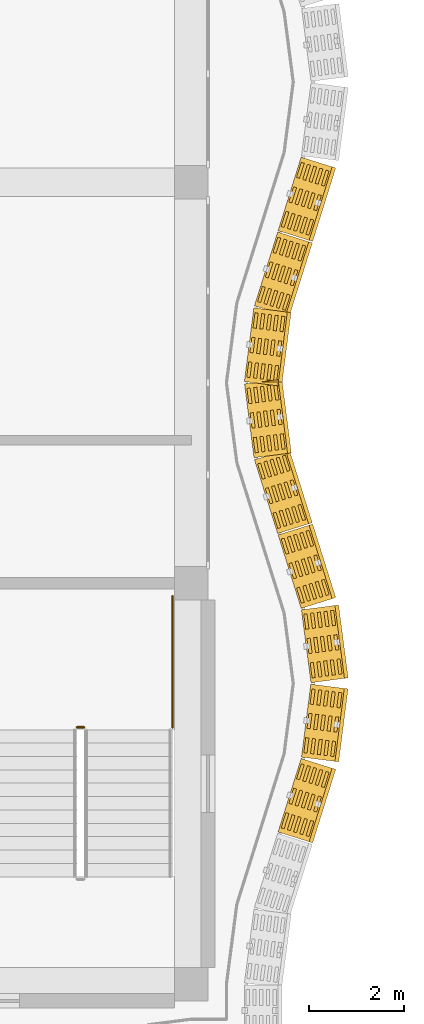
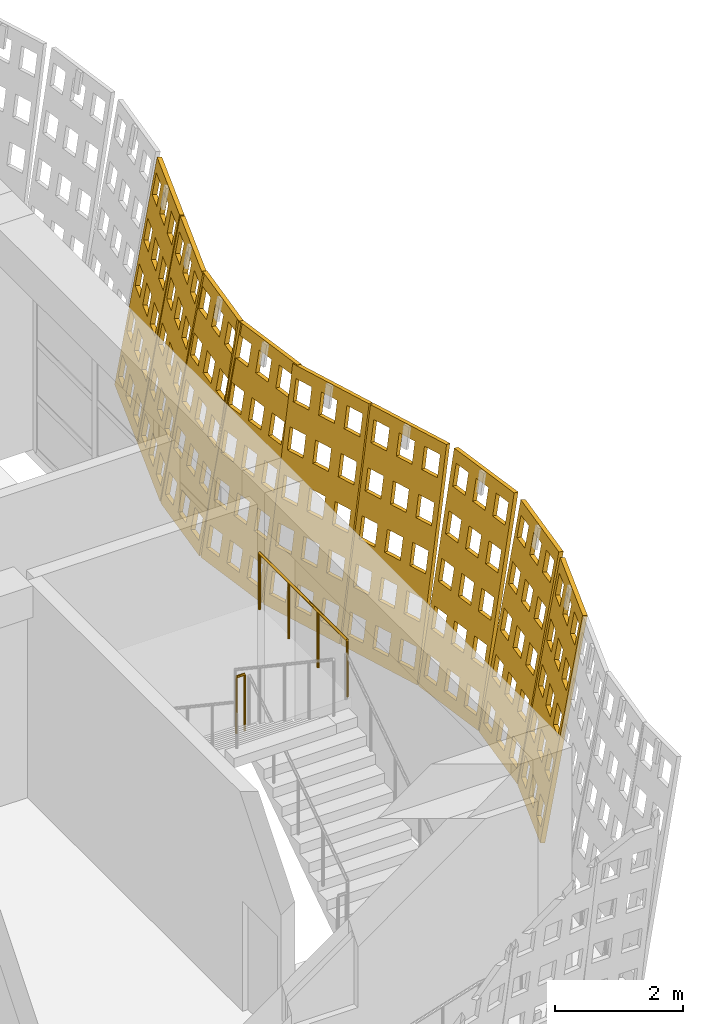
# One storey, part 155 of 163: 9 coverings, 2 railings.
"""IFC4 building model written with IfcOpenShell, lengths in metres."""

from ifc_helpers import new_model, si_unit, direction, frame, origin, origin_2d, place, context, subcontext, project, spatial, polyline, circle, outline, extrude, material, layer, layer_set, type_object, element, save


model = new_model("IFC4")

# Units and contexts
model_context = context("Model", 3, precision=1e-05, world=origin(), true_north=direction((0.0, 1.0)))
body_context = subcontext(model_context, "Body", "Model", "MODEL_VIEW")
ifc_project = project(units=[si_unit("LENGTHUNIT", "METRE"), si_unit("AREAUNIT", "SQUARE_METRE"), si_unit("VOLUMEUNIT", "CUBIC_METRE"), si_unit("PLANEANGLEUNIT", "RADIAN"), si_unit("MASSUNIT", "GRAM", prefix="KILO")], contexts=[model_context])

# Site, building, storey
site_placement = place(None, origin())
site = spatial("IfcSite", under=ifc_project, at=site_placement, CompositionType="ELEMENT")
building_placement = place(site_placement, origin())
building = spatial("IfcBuilding", under=site, at=building_placement, Name="Rain Tree Exposition and Congress Centre", CompositionType="ELEMENT")
storey_placement = place(building_placement, frame((0.0, 0.0, 10.5)))
storey = spatial("IfcBuildingStorey", under=building, at=storey_placement, Name="L02", CompositionType="ELEMENT", Elevation=10.5)

# Coverings
ifc_material_1 = material(Name="Perforated terracotta", Category="masonry")
ifc_layer = layer(ifc_material_1, 0.080078125)
ifc_layer_set = layer_set([ifc_layer], Name="Perforated terracotta")
covering_type = type_object("IfcCoveringType", Name="Terracotta screen 80", PredefinedType="CLADDING", material=ifc_layer_set)
covering_1_placement = place(storey_placement, frame((52.28759765625, 3.14990234375, 0.0), z_axis=(-0.942029390639, 0.295717964052, 0.158529217842), x_axis=(-0.29950542383, -0.954094597562, 0.0)))
element("IfcCovering", 1, at=covering_1_placement, inside=storey, type_object=covering_type, Name="wing/screen/L02/037", PredefinedType="CLADDING", context=body_context, shape_type="SweptSolid", body=[
    extrude(outline(polyline([(-1.62890625, 0.0), (-1.62890625, 4.291259765625), (-0.014892578125, 4.291259765625), (-0.014892578125, 0.0), (-1.62890625, 0.0)]), holes=[polyline([(-0.1171875, 0.221435546875), (-0.1171875, 0.63671875), (-0.45068359375, 0.63671875), (-0.45068359375, 0.221435546875), (-0.1171875, 0.221435546875)]), polyline([(-0.1171875, 1.07958984375), (-0.1171875, 1.4951171875), (-0.45068359375, 1.4951171875), (-0.45068359375, 1.07958984375), (-0.1171875, 1.07958984375)]), polyline([(-0.1171875, 1.93798828125), (-0.1171875, 2.353271484375), (-0.45068359375, 2.353271484375), (-0.45068359375, 1.93798828125), (-0.1171875, 1.93798828125)]), polyline([(-0.1171875, 2.796142578125), (-0.1171875, 3.21142578125), (-0.45068359375, 3.21142578125), (-0.45068359375, 2.796142578125), (-0.1171875, 2.796142578125)]), polyline([(-0.1171875, 3.654541015625), (-0.1171875, 4.06982421875), (-0.45068359375, 4.06982421875), (-0.45068359375, 3.654541015625), (-0.1171875, 3.654541015625)]), polyline([(-0.6552734375, 0.221435546875), (-0.6552734375, 0.63671875), (-0.98876953125, 0.63671875), (-0.98876953125, 0.221435546875), (-0.6552734375, 0.221435546875)]), polyline([(-0.6552734375, 1.07958984375), (-0.6552734375, 1.4951171875), (-0.98876953125, 1.4951171875), (-0.98876953125, 1.07958984375), (-0.6552734375, 1.07958984375)]), polyline([(-0.6552734375, 1.93798828125), (-0.6552734375, 2.353271484375), (-0.98876953125, 2.353271484375), (-0.98876953125, 1.93798828125), (-0.6552734375, 1.93798828125)]), polyline([(-0.6552734375, 2.796142578125), (-0.6552734375, 3.21142578125), (-0.98876953125, 3.21142578125), (-0.98876953125, 2.796142578125), (-0.6552734375, 2.796142578125)]), polyline([(-0.6552734375, 3.654541015625), (-0.6552734375, 4.06982421875), (-0.98876953125, 4.06982421875), (-0.98876953125, 3.654541015625), (-0.6552734375, 3.654541015625)]), polyline([(-1.193115234375, 0.221435546875), (-1.193115234375, 0.63671875), (-1.526611328125, 0.63671875), (-1.526611328125, 0.221435546875), (-1.193115234375, 0.221435546875)]), polyline([(-1.193115234375, 1.07958984375), (-1.193115234375, 1.4951171875), (-1.526611328125, 1.4951171875), (-1.526611328125, 1.07958984375), (-1.193115234375, 1.07958984375)]), polyline([(-1.193115234375, 1.93798828125), (-1.193115234375, 2.353271484375), (-1.526611328125, 2.353271484375), (-1.526611328125, 1.93798828125), (-1.193115234375, 1.93798828125)]), polyline([(-1.193115234375, 2.796142578125), (-1.193115234375, 3.21142578125), (-1.526611328125, 3.21142578125), (-1.526611328125, 2.796142578125), (-1.193115234375, 2.796142578125)]), polyline([(-1.193115234375, 3.654541015625), (-1.193115234375, 4.06982421875), (-1.526611328125, 4.06982421875), (-1.526611328125, 3.654541015625), (-1.193115234375, 3.654541015625)])]), origin(), (0.0, 0.0, 1.0), 0.080078125),
])
covering_2_placement = place(storey_placement, frame((52.78271484375, 4.72509765625, 0.0), z_axis=(-0.978413018317, 0.124968640969, 0.164592844203), x_axis=(-0.126696580272, -0.991941518713, 0.0)))
element("IfcCovering", 2, at=covering_2_placement, inside=storey, type_object=covering_type, Name="wing/screen/L02/038", PredefinedType="CLADDING", context=body_context, shape_type="SweptSolid", body=[
    extrude(outline(polyline([(-1.56298828125, 0.0), (-1.56298828125, 4.295166015625), (-0.02197265625, 4.295166015625), (-0.02197265625, 0.0), (-1.56298828125, 0.0)]), holes=[polyline([(-0.11962890625, 0.2216796875), (-0.11962890625, 0.63720703125), (-0.43798828125, 0.63720703125), (-0.43798828125, 0.2216796875), (-0.11962890625, 0.2216796875)]), polyline([(-0.11962890625, 1.080810546875), (-0.11962890625, 1.496337890625), (-0.43798828125, 1.496337890625), (-0.43798828125, 1.080810546875), (-0.11962890625, 1.080810546875)]), polyline([(-0.11962890625, 1.939697265625), (-0.11962890625, 2.35546875), (-0.43798828125, 2.35546875), (-0.43798828125, 1.939697265625), (-0.11962890625, 1.939697265625)]), polyline([(-0.11962890625, 2.798583984375), (-0.11962890625, 3.21435546875), (-0.43798828125, 3.21435546875), (-0.43798828125, 2.798583984375), (-0.11962890625, 2.798583984375)]), polyline([(-0.11962890625, 3.65771484375), (-0.11962890625, 4.073486328125), (-0.43798828125, 4.073486328125), (-0.43798828125, 3.65771484375), (-0.11962890625, 3.65771484375)]), polyline([(-0.63330078125, 0.2216796875), (-0.63330078125, 0.63720703125), (-0.95166015625, 0.63720703125), (-0.95166015625, 0.2216796875), (-0.63330078125, 0.2216796875)]), polyline([(-0.63330078125, 1.080810546875), (-0.63330078125, 1.496337890625), (-0.95166015625, 1.496337890625), (-0.95166015625, 1.080810546875), (-0.63330078125, 1.080810546875)]), polyline([(-0.63330078125, 1.939697265625), (-0.63330078125, 2.35546875), (-0.95166015625, 2.35546875), (-0.95166015625, 1.939697265625), (-0.63330078125, 1.939697265625)]), polyline([(-0.63330078125, 2.798583984375), (-0.63330078125, 3.21435546875), (-0.95166015625, 3.21435546875), (-0.95166015625, 2.798583984375), (-0.63330078125, 2.798583984375)]), polyline([(-0.63330078125, 3.65771484375), (-0.63330078125, 4.073486328125), (-0.95166015625, 4.073486328125), (-0.95166015625, 3.65771484375), (-0.63330078125, 3.65771484375)]), polyline([(-1.146728515625, 0.2216796875), (-1.146728515625, 0.63720703125), (-1.46533203125, 0.63720703125), (-1.46533203125, 0.2216796875), (-1.146728515625, 0.2216796875)]), polyline([(-1.146728515625, 1.080810546875), (-1.146728515625, 1.496337890625), (-1.46533203125, 1.496337890625), (-1.46533203125, 1.080810546875), (-1.146728515625, 1.080810546875)]), polyline([(-1.146728515625, 1.939697265625), (-1.146728515625, 2.35546875), (-1.46533203125, 2.35546875), (-1.46533203125, 1.939697265625), (-1.146728515625, 1.939697265625)]), polyline([(-1.146728515625, 2.798583984375), (-1.146728515625, 3.21435546875), (-1.46533203125, 3.21435546875), (-1.46533203125, 2.798583984375), (-1.146728515625, 2.798583984375)]), polyline([(-1.146728515625, 3.65771484375), (-1.146728515625, 4.073486328125), (-1.46533203125, 4.073486328125), (-1.46533203125, 3.65771484375), (-1.146728515625, 3.65771484375)])]), origin(), (0.0, 0.0, 1.0), 0.080078125),
])
covering_3_placement = place(storey_placement, frame((52.987548828125, 6.300048828125, 0.0), z_axis=(-0.978036007662, -0.127967328105, 0.16452942185), x_axis=(0.129735338481, -0.991548658387, 0.0)))
element("IfcCovering", 3, at=covering_3_placement, inside=storey, type_object=covering_type, Name="wing/screen/L02/039", PredefinedType="CLADDING", context=body_context, shape_type="SweptSolid", body=[
    extrude(outline(polyline([(-1.56640625, 0.0), (-1.56640625, 4.295166015625), (-0.025390625, 4.295166015625), (-0.025390625, 0.0), (-1.56640625, 0.0)]), holes=[polyline([(-0.123046875, 0.2216796875), (-0.123046875, 0.63720703125), (-0.44140625, 0.63720703125), (-0.44140625, 0.2216796875), (-0.123046875, 0.2216796875)]), polyline([(-0.123046875, 1.080810546875), (-0.123046875, 1.496337890625), (-0.44140625, 1.496337890625), (-0.44140625, 1.080810546875), (-0.123046875, 1.080810546875)]), polyline([(-0.123046875, 1.939697265625), (-0.123046875, 2.35546875), (-0.44140625, 2.35546875), (-0.44140625, 1.939697265625), (-0.123046875, 1.939697265625)]), polyline([(-0.123046875, 2.798583984375), (-0.123046875, 3.21435546875), (-0.44140625, 3.21435546875), (-0.44140625, 2.798583984375), (-0.123046875, 2.798583984375)]), polyline([(-0.123046875, 3.65771484375), (-0.123046875, 4.073486328125), (-0.44140625, 4.073486328125), (-0.44140625, 3.65771484375), (-0.123046875, 3.65771484375)]), polyline([(-0.63671875, 0.2216796875), (-0.63671875, 0.63720703125), (-0.955078125, 0.63720703125), (-0.955078125, 0.2216796875), (-0.63671875, 0.2216796875)]), polyline([(-0.63671875, 1.080810546875), (-0.63671875, 1.496337890625), (-0.955078125, 1.496337890625), (-0.955078125, 1.080810546875), (-0.63671875, 1.080810546875)]), polyline([(-0.63671875, 1.939697265625), (-0.63671875, 2.35546875), (-0.955078125, 2.35546875), (-0.955078125, 1.939697265625), (-0.63671875, 1.939697265625)]), polyline([(-0.63671875, 2.798583984375), (-0.63671875, 3.21435546875), (-0.955078125, 3.21435546875), (-0.955078125, 2.798583984375), (-0.63671875, 2.798583984375)]), polyline([(-0.63671875, 3.65771484375), (-0.63671875, 4.073486328125), (-0.955078125, 4.073486328125), (-0.955078125, 3.65771484375), (-0.63671875, 3.65771484375)]), polyline([(-1.150146484375, 0.2216796875), (-1.150146484375, 0.63720703125), (-1.46875, 0.63720703125), (-1.46875, 0.2216796875), (-1.150146484375, 0.2216796875)]), polyline([(-1.150146484375, 1.080810546875), (-1.150146484375, 1.496337890625), (-1.46875, 1.496337890625), (-1.46875, 1.080810546875), (-1.150146484375, 1.080810546875)]), polyline([(-1.150146484375, 1.939697265625), (-1.150146484375, 2.35546875), (-1.46875, 2.35546875), (-1.46875, 1.939697265625), (-1.150146484375, 1.939697265625)]), polyline([(-1.150146484375, 2.798583984375), (-1.150146484375, 3.21435546875), (-1.46875, 3.21435546875), (-1.46875, 2.798583984375), (-1.150146484375, 2.798583984375)]), polyline([(-1.150146484375, 3.65771484375), (-1.150146484375, 4.073486328125), (-1.46875, 4.073486328125), (-1.46875, 3.65771484375), (-1.150146484375, 3.65771484375)])]), origin(), (0.0, 0.0, 1.0), 0.080078125),
])
covering_4_placement = place(storey_placement, frame((52.78271484375, 7.875, 0.0), z_axis=(-0.942029390639, -0.295717964052, 0.158529217842), x_axis=(0.29950542383, -0.954094597562, 0.0)))
element("IfcCovering", 4, at=covering_4_placement, inside=storey, type_object=covering_type, Name="wing/screen/L02/040", PredefinedType="CLADDING", context=body_context, shape_type="SweptSolid", body=[
    extrude(outline(polyline([(-1.635986328125, 0.0), (-1.635986328125, 4.291259765625), (-0.02197265625, 4.291259765625), (-0.02197265625, 0.0), (-1.635986328125, 0.0)]), holes=[polyline([(-0.124267578125, 0.221435546875), (-0.124267578125, 0.63671875), (-0.457763671875, 0.63671875), (-0.457763671875, 0.221435546875), (-0.124267578125, 0.221435546875)]), polyline([(-0.124267578125, 1.07958984375), (-0.124267578125, 1.4951171875), (-0.457763671875, 1.4951171875), (-0.457763671875, 1.07958984375), (-0.124267578125, 1.07958984375)]), polyline([(-0.124267578125, 1.93798828125), (-0.124267578125, 2.353271484375), (-0.457763671875, 2.353271484375), (-0.457763671875, 1.93798828125), (-0.124267578125, 1.93798828125)]), polyline([(-0.124267578125, 2.796142578125), (-0.124267578125, 3.21142578125), (-0.457763671875, 3.21142578125), (-0.457763671875, 2.796142578125), (-0.124267578125, 2.796142578125)]), polyline([(-0.124267578125, 3.654541015625), (-0.124267578125, 4.06982421875), (-0.457763671875, 4.06982421875), (-0.457763671875, 3.654541015625), (-0.124267578125, 3.654541015625)]), polyline([(-0.662109375, 0.221435546875), (-0.662109375, 0.63671875), (-0.995849609375, 0.63671875), (-0.995849609375, 0.221435546875), (-0.662109375, 0.221435546875)]), polyline([(-0.662109375, 1.07958984375), (-0.662109375, 1.4951171875), (-0.995849609375, 1.4951171875), (-0.995849609375, 1.07958984375), (-0.662109375, 1.07958984375)]), polyline([(-0.662109375, 1.93798828125), (-0.662109375, 2.353271484375), (-0.995849609375, 2.353271484375), (-0.995849609375, 1.93798828125), (-0.662109375, 1.93798828125)]), polyline([(-0.662109375, 2.796142578125), (-0.662109375, 3.21142578125), (-0.995849609375, 3.21142578125), (-0.995849609375, 2.796142578125), (-0.662109375, 2.796142578125)]), polyline([(-0.662109375, 3.654541015625), (-0.662109375, 4.06982421875), (-0.995849609375, 4.06982421875), (-0.995849609375, 3.654541015625), (-0.662109375, 3.654541015625)]), polyline([(-1.2001953125, 0.221435546875), (-1.2001953125, 0.63671875), (-1.53369140625, 0.63671875), (-1.53369140625, 0.221435546875), (-1.2001953125, 0.221435546875)]), polyline([(-1.2001953125, 1.07958984375), (-1.2001953125, 1.4951171875), (-1.53369140625, 1.4951171875), (-1.53369140625, 1.07958984375), (-1.2001953125, 1.07958984375)]), polyline([(-1.2001953125, 1.93798828125), (-1.2001953125, 2.353271484375), (-1.53369140625, 2.353271484375), (-1.53369140625, 1.93798828125), (-1.2001953125, 1.93798828125)]), polyline([(-1.2001953125, 2.796142578125), (-1.2001953125, 3.21142578125), (-1.53369140625, 3.21142578125), (-1.53369140625, 2.796142578125), (-1.2001953125, 2.796142578125)]), polyline([(-1.2001953125, 3.654541015625), (-1.2001953125, 4.06982421875), (-1.53369140625, 4.06982421875), (-1.53369140625, 3.654541015625), (-1.2001953125, 3.654541015625)])]), origin(), (0.0, 0.0, 1.0), 0.080078125),
])
covering_5_placement = place(storey_placement, frame((52.28759765625, 9.449951171875, 0.0), z_axis=(-0.942029390639, -0.295717964052, 0.158529217842), x_axis=(0.29950542383, -0.954094597562, 0.0)))
element("IfcCovering", 5, at=covering_5_placement, inside=storey, type_object=covering_type, Name="wing/screen/L02/041", PredefinedType="CLADDING", context=body_context, shape_type="SweptSolid", body=[
    extrude(outline(polyline([(-1.635986328125, 0.0), (-1.635986328125, 4.291259765625), (-0.014892578125, 4.291259765625), (-0.014892578125, 0.0), (-1.635986328125, 0.0)]), holes=[polyline([(-0.11767578125, 0.221435546875), (-0.11767578125, 0.63671875), (-0.45263671875, 0.63671875), (-0.45263671875, 0.221435546875), (-0.11767578125, 0.221435546875)]), polyline([(-0.11767578125, 1.07958984375), (-0.11767578125, 1.4951171875), (-0.45263671875, 1.4951171875), (-0.45263671875, 1.07958984375), (-0.11767578125, 1.07958984375)]), polyline([(-0.11767578125, 1.93798828125), (-0.11767578125, 2.353271484375), (-0.45263671875, 2.353271484375), (-0.45263671875, 1.93798828125), (-0.11767578125, 1.93798828125)]), polyline([(-0.11767578125, 2.796142578125), (-0.11767578125, 3.21142578125), (-0.45263671875, 3.21142578125), (-0.45263671875, 2.796142578125), (-0.11767578125, 2.796142578125)]), polyline([(-0.11767578125, 3.654541015625), (-0.11767578125, 4.06982421875), (-0.45263671875, 4.06982421875), (-0.45263671875, 3.654541015625), (-0.11767578125, 3.654541015625)]), polyline([(-0.657958984375, 0.221435546875), (-0.657958984375, 0.63671875), (-0.992919921875, 0.63671875), (-0.992919921875, 0.221435546875), (-0.657958984375, 0.221435546875)]), polyline([(-0.657958984375, 1.07958984375), (-0.657958984375, 1.4951171875), (-0.992919921875, 1.4951171875), (-0.992919921875, 1.07958984375), (-0.657958984375, 1.07958984375)]), polyline([(-0.657958984375, 1.93798828125), (-0.657958984375, 2.353271484375), (-0.992919921875, 2.353271484375), (-0.992919921875, 1.93798828125), (-0.657958984375, 1.93798828125)]), polyline([(-0.657958984375, 2.796142578125), (-0.657958984375, 3.21142578125), (-0.992919921875, 3.21142578125), (-0.992919921875, 2.796142578125), (-0.657958984375, 2.796142578125)]), polyline([(-0.657958984375, 3.654541015625), (-0.657958984375, 4.06982421875), (-0.992919921875, 4.06982421875), (-0.992919921875, 3.654541015625), (-0.657958984375, 3.654541015625)]), polyline([(-1.1982421875, 0.221435546875), (-1.1982421875, 0.63671875), (-1.533203125, 0.63671875), (-1.533203125, 0.221435546875), (-1.1982421875, 0.221435546875)]), polyline([(-1.1982421875, 1.07958984375), (-1.1982421875, 1.4951171875), (-1.533203125, 1.4951171875), (-1.533203125, 1.07958984375), (-1.1982421875, 1.07958984375)]), polyline([(-1.1982421875, 1.93798828125), (-1.1982421875, 2.353271484375), (-1.533203125, 2.353271484375), (-1.533203125, 1.93798828125), (-1.1982421875, 1.93798828125)]), polyline([(-1.1982421875, 2.796142578125), (-1.1982421875, 3.21142578125), (-1.533203125, 3.21142578125), (-1.533203125, 2.796142578125), (-1.1982421875, 2.796142578125)]), polyline([(-1.1982421875, 3.654541015625), (-1.1982421875, 4.06982421875), (-1.533203125, 4.06982421875), (-1.533203125, 3.654541015625), (-1.1982421875, 3.654541015625)])]), origin(), (0.0, 0.0, 1.0), 0.080078125),
])
covering_6_placement = place(storey_placement, frame((51.79248046875, 11.02490234375, 0.0), z_axis=(-0.978282259159, -0.125342414455, 0.165085131233), x_axis=(0.127086122318, -0.991891686382, 0.0)))
element("IfcCovering", 6, at=covering_6_placement, inside=storey, type_object=covering_type, Name="wing/screen/L02/042", PredefinedType="CLADDING", context=body_context, shape_type="SweptSolid", body=[
    extrude(outline(polyline([(-1.5732421875, 0.0), (-1.5732421875, 4.295166015625), (-0.014892578125, 4.295166015625), (-0.014892578125, 0.0), (-1.5732421875, 0.0)]), holes=[polyline([(-0.11376953125, 0.2216796875), (-0.11376953125, 0.63720703125), (-0.435791015625, 0.63720703125), (-0.435791015625, 0.2216796875), (-0.11376953125, 0.2216796875)]), polyline([(-0.11376953125, 1.080810546875), (-0.11376953125, 1.496337890625), (-0.435791015625, 1.496337890625), (-0.435791015625, 1.080810546875), (-0.11376953125, 1.080810546875)]), polyline([(-0.11376953125, 1.939697265625), (-0.11376953125, 2.35546875), (-0.435791015625, 2.35546875), (-0.435791015625, 1.939697265625), (-0.11376953125, 1.939697265625)]), polyline([(-0.11376953125, 2.798583984375), (-0.11376953125, 3.21435546875), (-0.435791015625, 3.21435546875), (-0.435791015625, 2.798583984375), (-0.11376953125, 2.798583984375)]), polyline([(-0.11376953125, 3.65771484375), (-0.11376953125, 4.073486328125), (-0.435791015625, 4.073486328125), (-0.435791015625, 3.65771484375), (-0.11376953125, 3.65771484375)]), polyline([(-0.633056640625, 0.2216796875), (-0.633056640625, 0.63720703125), (-0.955078125, 0.63720703125), (-0.955078125, 0.2216796875), (-0.633056640625, 0.2216796875)]), polyline([(-0.633056640625, 1.080810546875), (-0.633056640625, 1.496337890625), (-0.955078125, 1.496337890625), (-0.955078125, 1.080810546875), (-0.633056640625, 1.080810546875)]), polyline([(-0.633056640625, 1.939697265625), (-0.633056640625, 2.35546875), (-0.955078125, 2.35546875), (-0.955078125, 1.939697265625), (-0.633056640625, 1.939697265625)]), polyline([(-0.633056640625, 2.798583984375), (-0.633056640625, 3.21435546875), (-0.955078125, 3.21435546875), (-0.955078125, 2.798583984375), (-0.633056640625, 2.798583984375)]), polyline([(-0.633056640625, 3.65771484375), (-0.633056640625, 4.073486328125), (-0.955078125, 4.073486328125), (-0.955078125, 3.65771484375), (-0.633056640625, 3.65771484375)]), polyline([(-1.152587890625, 0.2216796875), (-1.152587890625, 0.63720703125), (-1.474609375, 0.63720703125), (-1.474609375, 0.2216796875), (-1.152587890625, 0.2216796875)]), polyline([(-1.152587890625, 1.080810546875), (-1.152587890625, 1.496337890625), (-1.474609375, 1.496337890625), (-1.474609375, 1.080810546875), (-1.152587890625, 1.080810546875)]), polyline([(-1.152587890625, 1.939697265625), (-1.152587890625, 2.35546875), (-1.474609375, 2.35546875), (-1.474609375, 1.939697265625), (-1.152587890625, 1.939697265625)]), polyline([(-1.152587890625, 2.798583984375), (-1.152587890625, 3.21435546875), (-1.474609375, 3.21435546875), (-1.474609375, 2.798583984375), (-1.152587890625, 2.798583984375)]), polyline([(-1.152587890625, 3.65771484375), (-1.152587890625, 4.073486328125), (-1.474609375, 4.073486328125), (-1.474609375, 3.65771484375), (-1.152587890625, 3.65771484375)])]), origin(), (0.0, 0.0, 1.0), 0.079833984375),
])
covering_7_placement = place(storey_placement, frame((51.587646484375, 12.60009765625, 0.0), z_axis=(-0.978413018317, 0.124968640969, 0.164592844203), x_axis=(-0.126696580272, -0.991941518713, 0.0)))
element("IfcCovering", 7, at=covering_7_placement, inside=storey, type_object=covering_type, Name="wing/screen/L02/043", PredefinedType="CLADDING", context=body_context, shape_type="SweptSolid", body=[
    extrude(outline(polyline([(-1.5732421875, 0.0), (-1.5732421875, 4.295166015625), (-0.014892578125, 4.295166015625), (-0.014892578125, 0.0), (-1.5732421875, 0.0)]), holes=[polyline([(-0.11376953125, 0.2216796875), (-0.11376953125, 0.63720703125), (-0.435791015625, 0.63720703125), (-0.435791015625, 0.2216796875), (-0.11376953125, 0.2216796875)]), polyline([(-0.11376953125, 1.080810546875), (-0.11376953125, 1.496337890625), (-0.435791015625, 1.496337890625), (-0.435791015625, 1.080810546875), (-0.11376953125, 1.080810546875)]), polyline([(-0.11376953125, 1.939697265625), (-0.11376953125, 2.35546875), (-0.435791015625, 2.35546875), (-0.435791015625, 1.939697265625), (-0.11376953125, 1.939697265625)]), polyline([(-0.11376953125, 2.798583984375), (-0.11376953125, 3.21435546875), (-0.435791015625, 3.21435546875), (-0.435791015625, 2.798583984375), (-0.11376953125, 2.798583984375)]), polyline([(-0.11376953125, 3.65771484375), (-0.11376953125, 4.073486328125), (-0.435791015625, 4.073486328125), (-0.435791015625, 3.65771484375), (-0.11376953125, 3.65771484375)]), polyline([(-0.633056640625, 0.2216796875), (-0.633056640625, 0.63720703125), (-0.955078125, 0.63720703125), (-0.955078125, 0.2216796875), (-0.633056640625, 0.2216796875)]), polyline([(-0.633056640625, 1.080810546875), (-0.633056640625, 1.496337890625), (-0.955078125, 1.496337890625), (-0.955078125, 1.080810546875), (-0.633056640625, 1.080810546875)]), polyline([(-0.633056640625, 1.939697265625), (-0.633056640625, 2.35546875), (-0.955078125, 2.35546875), (-0.955078125, 1.939697265625), (-0.633056640625, 1.939697265625)]), polyline([(-0.633056640625, 2.798583984375), (-0.633056640625, 3.21435546875), (-0.955078125, 3.21435546875), (-0.955078125, 2.798583984375), (-0.633056640625, 2.798583984375)]), polyline([(-0.633056640625, 3.65771484375), (-0.633056640625, 4.073486328125), (-0.955078125, 4.073486328125), (-0.955078125, 3.65771484375), (-0.633056640625, 3.65771484375)]), polyline([(-1.152587890625, 0.2216796875), (-1.152587890625, 0.63720703125), (-1.474609375, 0.63720703125), (-1.474609375, 0.2216796875), (-1.152587890625, 0.2216796875)]), polyline([(-1.152587890625, 1.080810546875), (-1.152587890625, 1.496337890625), (-1.474609375, 1.496337890625), (-1.474609375, 1.080810546875), (-1.152587890625, 1.080810546875)]), polyline([(-1.152587890625, 1.939697265625), (-1.152587890625, 2.35546875), (-1.474609375, 2.35546875), (-1.474609375, 1.939697265625), (-1.152587890625, 1.939697265625)]), polyline([(-1.152587890625, 2.798583984375), (-1.152587890625, 3.21435546875), (-1.474609375, 3.21435546875), (-1.474609375, 2.798583984375), (-1.152587890625, 2.798583984375)]), polyline([(-1.152587890625, 3.65771484375), (-1.152587890625, 4.073486328125), (-1.474609375, 4.073486328125), (-1.474609375, 3.65771484375), (-1.152587890625, 3.65771484375)])]), origin(), (0.0, 0.0, 1.0), 0.080078125),
])
covering_8_placement = place(storey_placement, frame((51.79248046875, 14.175048828125, 0.0), z_axis=(-0.941684688936, 0.296569528658, 0.158985726703), x_axis=(-0.300390227601, -0.953816392794, 0.0)))
element("IfcCovering", 8, at=covering_8_placement, inside=storey, type_object=covering_type, Name="wing/screen/L02/044", PredefinedType="CLADDING", context=body_context, shape_type="SweptSolid", body=[
    extrude(outline(polyline([(-1.635986328125, 0.0), (-1.635986328125, 4.291259765625), (-0.014892578125, 4.291259765625), (-0.014892578125, 0.0), (-1.635986328125, 0.0)]), holes=[polyline([(-0.11767578125, 0.221435546875), (-0.11767578125, 0.63671875), (-0.45263671875, 0.63671875), (-0.45263671875, 0.221435546875), (-0.11767578125, 0.221435546875)]), polyline([(-0.11767578125, 1.07958984375), (-0.11767578125, 1.4951171875), (-0.45263671875, 1.4951171875), (-0.45263671875, 1.07958984375), (-0.11767578125, 1.07958984375)]), polyline([(-0.11767578125, 1.93798828125), (-0.11767578125, 2.353271484375), (-0.45263671875, 2.353271484375), (-0.45263671875, 1.93798828125), (-0.11767578125, 1.93798828125)]), polyline([(-0.11767578125, 2.796142578125), (-0.11767578125, 3.21142578125), (-0.45263671875, 3.21142578125), (-0.45263671875, 2.796142578125), (-0.11767578125, 2.796142578125)]), polyline([(-0.11767578125, 3.654541015625), (-0.11767578125, 4.06982421875), (-0.45263671875, 4.06982421875), (-0.45263671875, 3.654541015625), (-0.11767578125, 3.654541015625)]), polyline([(-0.657958984375, 0.221435546875), (-0.657958984375, 0.63671875), (-0.992919921875, 0.63671875), (-0.992919921875, 0.221435546875), (-0.657958984375, 0.221435546875)]), polyline([(-0.657958984375, 1.07958984375), (-0.657958984375, 1.4951171875), (-0.992919921875, 1.4951171875), (-0.992919921875, 1.07958984375), (-0.657958984375, 1.07958984375)]), polyline([(-0.657958984375, 1.93798828125), (-0.657958984375, 2.353271484375), (-0.992919921875, 2.353271484375), (-0.992919921875, 1.93798828125), (-0.657958984375, 1.93798828125)]), polyline([(-0.657958984375, 2.796142578125), (-0.657958984375, 3.21142578125), (-0.992919921875, 3.21142578125), (-0.992919921875, 2.796142578125), (-0.657958984375, 2.796142578125)]), polyline([(-0.657958984375, 3.654541015625), (-0.657958984375, 4.06982421875), (-0.992919921875, 4.06982421875), (-0.992919921875, 3.654541015625), (-0.657958984375, 3.654541015625)]), polyline([(-1.1982421875, 0.221435546875), (-1.1982421875, 0.63671875), (-1.533203125, 0.63671875), (-1.533203125, 0.221435546875), (-1.1982421875, 0.221435546875)]), polyline([(-1.1982421875, 1.07958984375), (-1.1982421875, 1.4951171875), (-1.533203125, 1.4951171875), (-1.533203125, 1.07958984375), (-1.1982421875, 1.07958984375)]), polyline([(-1.1982421875, 1.93798828125), (-1.1982421875, 2.353271484375), (-1.533203125, 2.353271484375), (-1.533203125, 1.93798828125), (-1.1982421875, 1.93798828125)]), polyline([(-1.1982421875, 2.796142578125), (-1.1982421875, 3.21142578125), (-1.533203125, 3.21142578125), (-1.533203125, 2.796142578125), (-1.1982421875, 2.796142578125)]), polyline([(-1.1982421875, 3.654541015625), (-1.1982421875, 4.06982421875), (-1.533203125, 4.06982421875), (-1.533203125, 3.654541015625), (-1.1982421875, 3.654541015625)])]), origin(), (0.0, 0.0, 1.0), 0.079833984375),
])
covering_9_placement = place(storey_placement, frame((52.28759765625, 15.75, 0.0), z_axis=(-0.942029390639, 0.295717964052, 0.158529217842), x_axis=(-0.29950542383, -0.954094597562, 0.0)))
element("IfcCovering", 9, at=covering_9_placement, inside=storey, type_object=covering_type, Name="wing/screen/L02/045", PredefinedType="CLADDING", context=body_context, shape_type="SweptSolid", body=[
    extrude(outline(polyline([(-1.62890625, 0.0), (-1.62890625, 4.291259765625), (-0.014892578125, 4.291259765625), (-0.014892578125, 0.0), (-1.62890625, 0.0)]), holes=[polyline([(-0.1171875, 0.221435546875), (-0.1171875, 0.63671875), (-0.45068359375, 0.63671875), (-0.45068359375, 0.221435546875), (-0.1171875, 0.221435546875)]), polyline([(-0.1171875, 1.07958984375), (-0.1171875, 1.4951171875), (-0.45068359375, 1.4951171875), (-0.45068359375, 1.07958984375), (-0.1171875, 1.07958984375)]), polyline([(-0.1171875, 1.93798828125), (-0.1171875, 2.353271484375), (-0.45068359375, 2.353271484375), (-0.45068359375, 1.93798828125), (-0.1171875, 1.93798828125)]), polyline([(-0.1171875, 2.796142578125), (-0.1171875, 3.21142578125), (-0.45068359375, 3.21142578125), (-0.45068359375, 2.796142578125), (-0.1171875, 2.796142578125)]), polyline([(-0.1171875, 3.654541015625), (-0.1171875, 4.06982421875), (-0.45068359375, 4.06982421875), (-0.45068359375, 3.654541015625), (-0.1171875, 3.654541015625)]), polyline([(-0.6552734375, 0.221435546875), (-0.6552734375, 0.63671875), (-0.98876953125, 0.63671875), (-0.98876953125, 0.221435546875), (-0.6552734375, 0.221435546875)]), polyline([(-0.6552734375, 1.07958984375), (-0.6552734375, 1.4951171875), (-0.98876953125, 1.4951171875), (-0.98876953125, 1.07958984375), (-0.6552734375, 1.07958984375)]), polyline([(-0.6552734375, 1.93798828125), (-0.6552734375, 2.353271484375), (-0.98876953125, 2.353271484375), (-0.98876953125, 1.93798828125), (-0.6552734375, 1.93798828125)]), polyline([(-0.6552734375, 2.796142578125), (-0.6552734375, 3.21142578125), (-0.98876953125, 3.21142578125), (-0.98876953125, 2.796142578125), (-0.6552734375, 2.796142578125)]), polyline([(-0.6552734375, 3.654541015625), (-0.6552734375, 4.06982421875), (-0.98876953125, 4.06982421875), (-0.98876953125, 3.654541015625), (-0.6552734375, 3.654541015625)]), polyline([(-1.193115234375, 0.221435546875), (-1.193115234375, 0.63671875), (-1.526611328125, 0.63671875), (-1.526611328125, 0.221435546875), (-1.193115234375, 0.221435546875)]), polyline([(-1.193115234375, 1.07958984375), (-1.193115234375, 1.4951171875), (-1.526611328125, 1.4951171875), (-1.526611328125, 1.07958984375), (-1.193115234375, 1.07958984375)]), polyline([(-1.193115234375, 1.93798828125), (-1.193115234375, 2.353271484375), (-1.526611328125, 2.353271484375), (-1.526611328125, 1.93798828125), (-1.193115234375, 1.93798828125)]), polyline([(-1.193115234375, 2.796142578125), (-1.193115234375, 3.21142578125), (-1.526611328125, 3.21142578125), (-1.526611328125, 2.796142578125), (-1.193115234375, 2.796142578125)]), polyline([(-1.193115234375, 3.654541015625), (-1.193115234375, 4.06982421875), (-1.526611328125, 4.06982421875), (-1.526611328125, 3.654541015625), (-1.193115234375, 3.654541015625)])]), origin(), (0.0, 0.0, 1.0), 0.080078125),
])

# Railings
ifc_material_2 = material(Name="Steel S355J2H", Category="steel")
railing_type = type_object("IfcRailingType", Name="Wing stair guard 1100", PredefinedType="GUARDRAIL", material=ifc_material_2)
railing_1_placement = place(storey_placement, frame((48.14990234375, 5.3798828125, 2.25)))
element("IfcRailing", 10, at=railing_1_placement, inside=storey, type_object=railing_type, Name="L02 ST-W2 stair guard 2", PredefinedType="GUARDRAIL", context=body_context, shape_type="SweptSolid", body=[
    extrude(circle(Radius=0.02392578125, at=origin_2d()), frame((0.0, 0.0, 1.076171875), z_axis=(-1.0, 0.0, 0.0), x_axis=(0.0, -1.0, 0.0)), (0.0, 0.0, 1.0), 0.14990234375),
    extrude(circle(Radius=0.02099609375, at=origin_2d()), origin(), (0.0, 0.0, 1.0), 1.052001953125),
    extrude(circle(Radius=0.02099609375, at=origin_2d()), frame((-0.14990234375, 0.0, 0.0)), (0.0, 0.0, 1.0), 1.052001953125),
])
railing_2_placement = place(storey_placement, frame((50.0029296875, 5.3798828125, 2.25)))
element("IfcRailing", 11, at=railing_2_placement, inside=storey, type_object=railing_type, Name="wing/stair/ST-W2-L02-LG1", PredefinedType="GUARDRAIL", context=body_context, shape_type="SweptSolid", body=[
    extrude(circle(Radius=0.02392578125, at=origin_2d()), frame((0.0, 0.0, 1.076171875), z_axis=(0.0, 1.0, 0.0), x_axis=(-1.0, 0.0, 0.0)), (0.0, 0.0, 1.0), 2.748046875),
    extrude(circle(Radius=0.02099609375, at=origin_2d()), origin(), (0.0, 0.0, 1.0), 1.052001953125),
    extrude(circle(Radius=0.02099609375, at=origin_2d()), frame((0.0, 0.916015625, 0.0)), (0.0, 0.0, 1.0), 1.052001953125),
    extrude(circle(Radius=0.02099609375, at=origin_2d()), frame((0.0, 1.83203125, 0.0)), (0.0, 0.0, 1.0), 1.052001953125),
    extrude(circle(Radius=0.02099609375, at=origin_2d()), frame((0.0, 2.748046875, 0.0)), (0.0, 0.0, 1.0), 1.052001953125),
])

save(model, "model.ifc")
